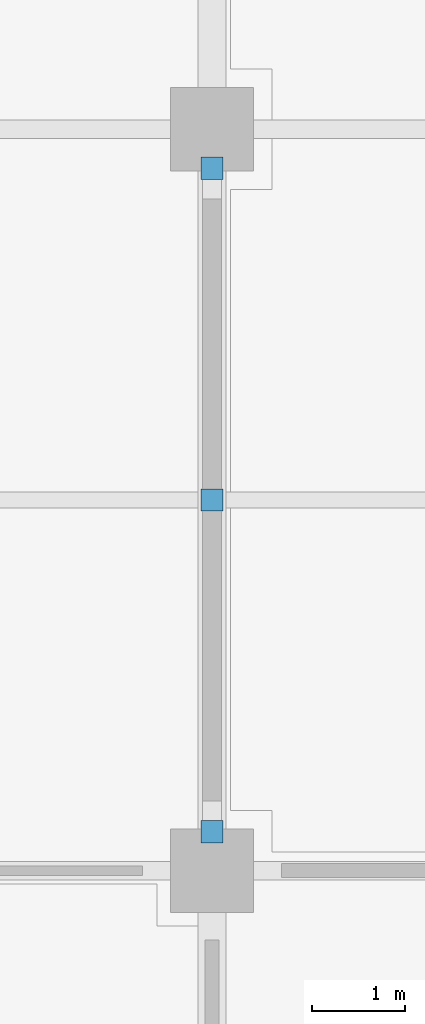
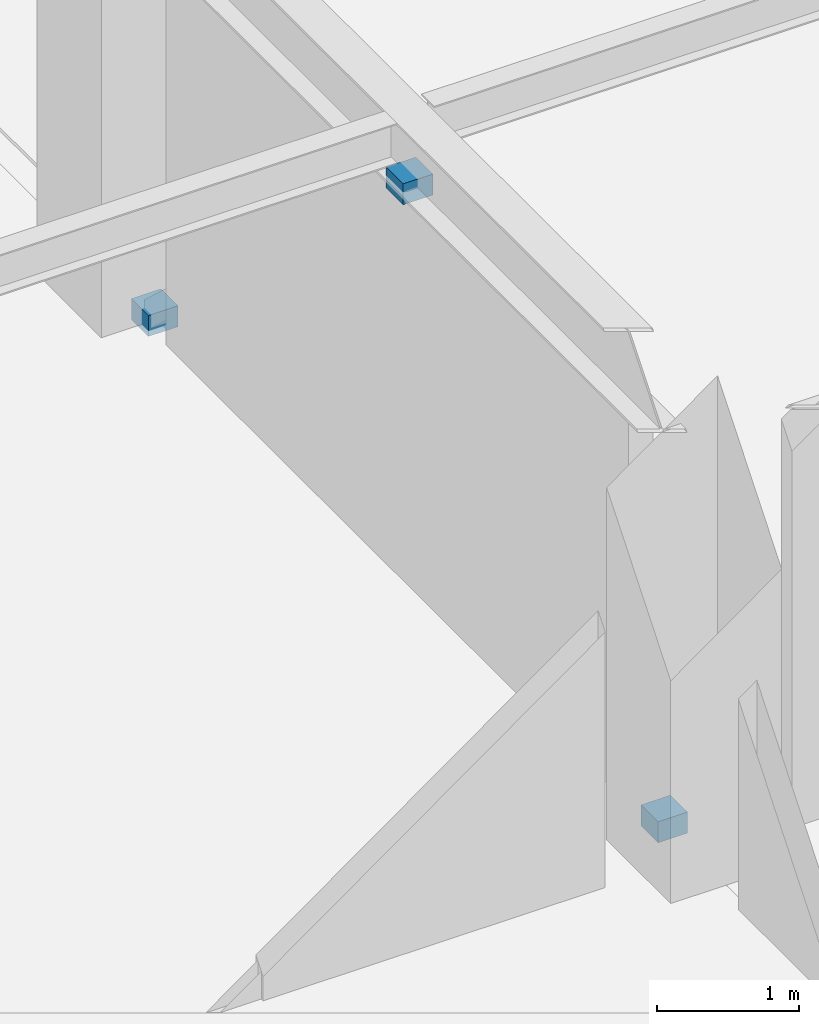
# One storey, part 101 of 118: 3 discrete accessories.
"""IFC4 building model written with IfcOpenShell, lengths in metres."""

from ifc_helpers import new_model, si_unit, direction, frame, origin, origin_2d, place, context, subcontext, project, spatial, rectangle, extrude, material, layer, layer_set, type_object, element, save


model = new_model("IFC4")

# Units and contexts
model_context = context("Model", 3, precision=1e-05, world=origin(), true_north=direction((0.0, 1.0)))
body_context = subcontext(model_context, "Body", "Model", "MODEL_VIEW")
ifc_project = project(units=[si_unit("LENGTHUNIT", "METRE"), si_unit("AREAUNIT", "SQUARE_METRE"), si_unit("VOLUMEUNIT", "CUBIC_METRE"), si_unit("PLANEANGLEUNIT", "RADIAN"), si_unit("MASSUNIT", "GRAM", prefix="KILO")], contexts=[model_context])

# Site, building, storey
site_placement = place(None, origin())
site = spatial("IfcSite", under=ifc_project, at=site_placement, CompositionType="ELEMENT")
building_placement = place(site_placement, origin())
building = spatial("IfcBuilding", under=site, at=building_placement, Name="Haebicheon Civic Stadium", CompositionType="ELEMENT")
storey_placement = place(building_placement, frame((0.0, 0.0, 14.39990234375)))
storey = spatial("IfcBuildingStorey", under=building, at=storey_placement, Name="L04", CompositionType="ELEMENT", Elevation=14.39990234375)

# Discrete accessories
ifc_material = material(Name="White painted steel SM490", Category="steel")
ifc_layer = layer(ifc_material, 0.179931640625, Name="White painted steel SM490")
ifc_layer_set = layer_set([ifc_layer], Name="White painted steel SM490")
discrete_accessory_type = type_object("IfcDiscreteAccessoryType", Name="BRK-END-PLT", PredefinedType="BRACKET", material=ifc_layer_set)
for number, where, z_axis, x_axis, name in (
    (1, (160.0, 48.419921875, -0.0498046875), (0.0, 0.0, 1.0), (1.0, 0.0, 0.0), "Brace L04-19-06 bolted end connection plate"),
    (2, (160.0, 55.580078125, -0.0498046875), (0.0, 0.0, 1.0), (1.0, 0.0, 0.0), "Brace L04-19-06 bolted end connection plate"),
    (3, (160.0, 52.0, 3.25), (0.0, 0.0, 1.0), (1.0, 0.0, 0.0), "Brace L04-19-06 bolted end connection plate"),
):
    element("IfcDiscreteAccessory", number, at=place(storey_placement, frame(where, z_axis=z_axis, x_axis=x_axis)), inside=storey, type_object=discrete_accessory_type, material=ifc_layer_set, Name=name, PredefinedType="BRACKET", context=body_context, shape_type="SweptSolid", body=[
        extrude(rectangle(XDim=0.239990234375, YDim=0.239990234375, at=origin_2d()), origin(), (0.0, 0.0, 1.0), 0.179931640625),
    ])

save(model, "model.ifc")
